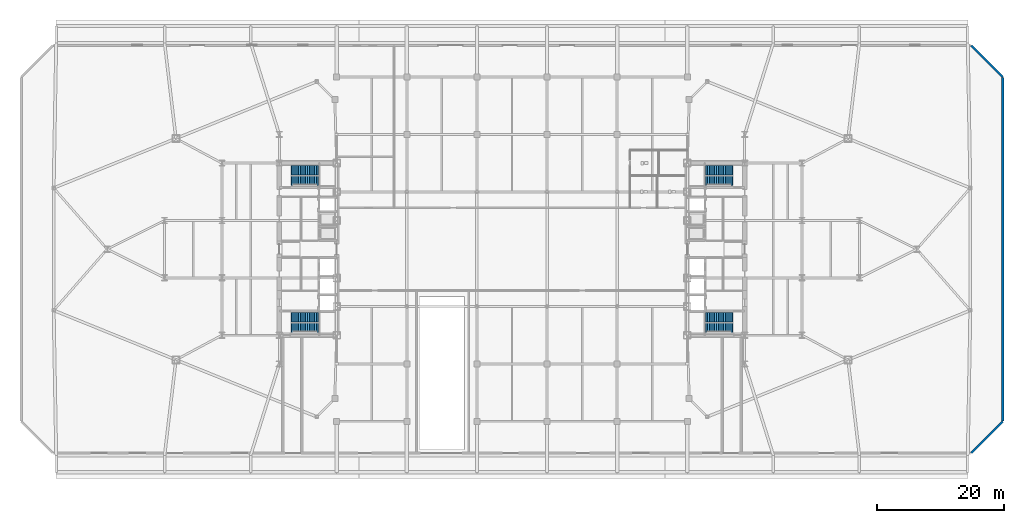
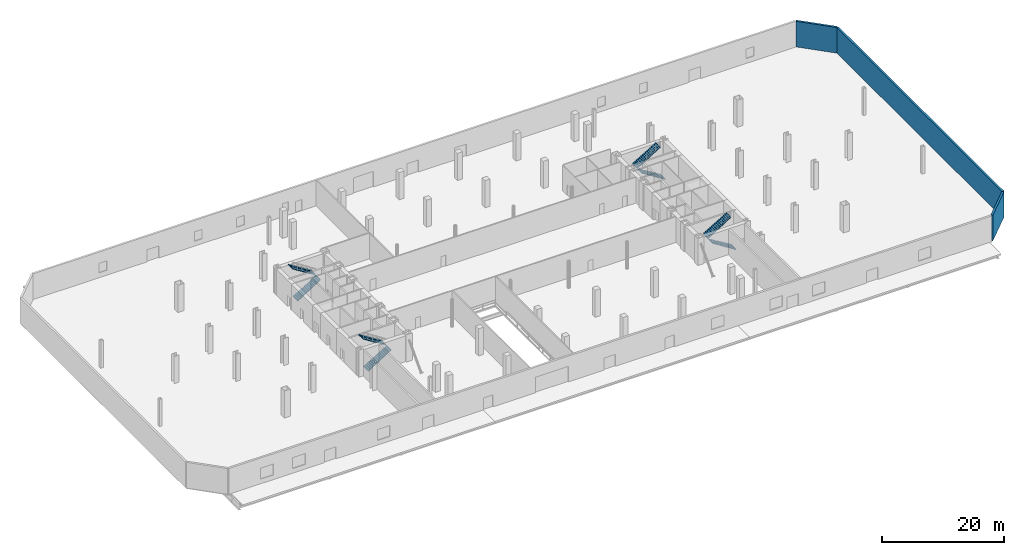
# One storey, part 17 of 21: 8 stair flights, 3 walls, 4 elements without a shape of their own.
"""IFC4 building model written with IfcOpenShell, lengths in metres."""

from ifc_helpers import new_model, si_unit, direction, frame, frame_2d, origin, place, context, subcontext, project, spatial, polyline, rectangle, outline, extrude, material, layer, layer_set, type_object, element, aggregate, save


model = new_model("IFC4")

# Units and contexts
model_context = context("Model", 3, precision=1e-05, world=origin(), true_north=direction((0.0, 1.0)))
body_context = subcontext(model_context, "Body", "Model", "MODEL_VIEW")
ifc_project = project(units=[si_unit("LENGTHUNIT", "METRE"), si_unit("AREAUNIT", "SQUARE_METRE"), si_unit("VOLUMEUNIT", "CUBIC_METRE"), si_unit("PLANEANGLEUNIT", "RADIAN"), si_unit("MASSUNIT", "GRAM", prefix="KILO")], contexts=[model_context])

# Site, building, storey
site_placement = place(None, origin())
site = spatial("IfcSite", under=ifc_project, at=site_placement, CompositionType="ELEMENT")
building_placement = place(site_placement, origin())
building = spatial("IfcBuilding", under=site, at=building_placement, Name="Seokmaru Belvedere", CompositionType="ELEMENT")
storey_placement = place(building_placement, origin())
storey = spatial("IfcBuildingStorey", under=building, at=storey_placement, Name="L00", CompositionType="ELEMENT", Elevation=0.0)

# Walls
ifc_material = material(Name="Concrete C40 (40 MPa)", Category="concrete")
ifc_layer = layer(ifc_material, 0.360107421875)
ifc_layer_set = layer_set([ifc_layer], Name="Concrete C40 (40 MPa)")
wall_type = type_object("IfcWallType", Name="Podium Board-Formed Concrete Wall 360", PredefinedType="SOLIDWALL", material=ifc_layer_set)
wall_1_placement = place(storey_placement, frame((72.0283203125, -31.9716796875, 0.0), z_axis=(0.0, 0.0, 1.0), x_axis=(0.707106781187, 0.707106781187, 0.0)))
element("IfcWall", 1, at=wall_1_placement, inside=storey, type_object=wall_type, Name="L00 Exterior Podium Wall 02", PredefinedType="SOLIDWALL", context=body_context, shape_type="SweptSolid", body=[
    extrude(rectangle(XDim=6.990966796875, YDim=0.360107421875, at=frame_2d((3.49560546875, 0.0))), origin(), (0.0, 0.0, 1.0), 5.1201171875),
])
wall_2_placement = place(storey_placement, frame((77.0, -26.9599609375, 0.0), z_axis=(0.0, 0.0, 1.0), x_axis=(0.0, 1.0, 0.0)))
element("IfcWall", 2, at=wall_2_placement, inside=storey, type_object=wall_type, Name="L00 Exterior Podium Wall 03", PredefinedType="SOLIDWALL", context=body_context, shape_type="SweptSolid", body=[
    extrude(rectangle(XDim=53.919921875, YDim=0.360107421875, at=frame_2d((26.9599609375, 0.0))), origin(), (0.0, 0.0, 1.0), 5.1201171875),
])
wall_3_placement = place(storey_placement, frame((76.9716796875, 27.0283203125, 0.0), z_axis=(0.0, 0.0, 1.0), x_axis=(-0.707106781187, 0.707106781187, 0.0)))
element("IfcWall", 3, at=wall_3_placement, inside=storey, type_object=wall_type, Name="L00 Exterior Podium Wall 04", PredefinedType="SOLIDWALL", context=body_context, shape_type="SweptSolid", body=[
    extrude(rectangle(XDim=6.990966796875, YDim=0.360107421875, at=frame_2d((3.49560546875, 0.0))), origin(), (0.0, 0.0, 1.0), 5.1201171875),
])

# Stair, stair flights
stair_type = type_object("IfcStairType", Name="Ground Podium Core Dog-Leg Stair 5400", PredefinedType="TWO_STRAIGHT_RUN_STAIR", material=ifc_material)
stair_1_placement = place(storey_placement, origin())
stair_1 = element("IfcStair", 4, at=stair_1_placement, inside=storey, type_object=stair_type, Name="L00 Special Escape Stair ST-W1", PredefinedType="TWO_STRAIGHT_RUN_STAIR")
stair_flight_type = type_object("IfcStairFlightType", Name="Reinforced Concrete Stair Flight 1500", PredefinedType="STRAIGHT", material=ifc_material)
stair_flight_1_placement = place(storey_placement, frame((-34.60009765625, -12.35009765625, 0.0), z_axis=(0.0, 0.0, 1.0), x_axis=(1.0, 0.0, 0.0)))
stair_flight_1 = element("IfcStairFlight", 5, at=stair_flight_1_placement, type_object=stair_flight_type, Name="ST-W1 flight 1", NumberOfRisers=16, NumberOfTreads=15, PredefinedType="STRAIGHT", RiserHeight=0.16875, TreadLength=0.28, context=body_context, shape_type="SweptSolid", body=[
    extrude(outline(polyline([(-0.080078125, 0.0), (0.0, 0.168701171875), (0.280029296875, 0.168701171875), (0.280029296875, 0.33740234375), (0.56005859375, 0.33740234375), (0.56005859375, 0.50634765625), (0.840087890625, 0.50634765625), (0.840087890625, 0.675048828125), (1.1201171875, 0.675048828125), (1.1201171875, 0.84375), (1.39990234375, 0.84375), (1.39990234375, 1.012451171875), (1.679931640625, 1.012451171875), (1.679931640625, 1.18115234375), (1.9599609375, 1.18115234375), (1.9599609375, 1.35009765625), (2.239990234375, 1.35009765625), (2.239990234375, 1.518798828125), (2.52001953125, 1.518798828125), (2.52001953125, 1.6875), (2.800048828125, 1.6875), (2.800048828125, 1.856201171875), (3.080078125, 1.856201171875), (3.080078125, 2.02490234375), (3.360107421875, 2.02490234375), (3.360107421875, 2.19384765625), (3.639892578125, 2.19384765625), (3.639892578125, 2.362548828125), (3.919921875, 2.362548828125), (3.919921875, 2.53125), (4.199951171875, 2.53125), (4.199951171875, 2.699951171875), (4.280029296875, 2.699951171875), (4.280029296875, 2.510009765625), (4.199951171875, 2.510009765625), (0.0, -0.159912109375), (-0.080078125, -0.159912109375), (-0.080078125, 0.0)])), frame((0.0, 0.75, 0.0), z_axis=(0.0, -1.0, 0.0), x_axis=(1.0, 0.0, 0.0)), (0.0, 0.0, 1.0), 1.5),
])
stair_flight_2_placement = place(storey_placement, frame((-30.39990234375, -10.7099609375, 2.699951171875), z_axis=(0.0, 0.0, 1.0), x_axis=(-1.0, 0.0, 0.0)))
stair_flight_2 = element("IfcStairFlight", 6, at=stair_flight_2_placement, type_object=stair_flight_type, Name="ST-W1 flight 2", NumberOfRisers=16, NumberOfTreads=15, PredefinedType="STRAIGHT", RiserHeight=0.16875, TreadLength=0.28, context=body_context, shape_type="SweptSolid", body=[
    extrude(outline(polyline([(-0.080078125, 0.0), (0.0, 0.168701171875), (0.280029296875, 0.168701171875), (0.280029296875, 0.33740234375), (0.56005859375, 0.33740234375), (0.56005859375, 0.50634765625), (0.840087890625, 0.50634765625), (0.840087890625, 0.675048828125), (1.1201171875, 0.675048828125), (1.1201171875, 0.84375), (1.39990234375, 0.84375), (1.39990234375, 1.012451171875), (1.679931640625, 1.012451171875), (1.679931640625, 1.18115234375), (1.9599609375, 1.18115234375), (1.9599609375, 1.35009765625), (2.239990234375, 1.35009765625), (2.239990234375, 1.518798828125), (2.52001953125, 1.518798828125), (2.52001953125, 1.6875), (2.800048828125, 1.6875), (2.800048828125, 1.856201171875), (3.080078125, 1.856201171875), (3.080078125, 2.02490234375), (3.360107421875, 2.02490234375), (3.360107421875, 2.19384765625), (3.639892578125, 2.19384765625), (3.639892578125, 2.362548828125), (3.919921875, 2.362548828125), (3.919921875, 2.53125), (4.199951171875, 2.53125), (4.199951171875, 2.699951171875), (4.280029296875, 2.699951171875), (4.280029296875, 2.510009765625), (4.199951171875, 2.510009765625), (0.0, -0.159912109375), (-0.080078125, -0.159912109375), (-0.080078125, 0.0)])), frame((0.0, 0.75, 0.0), z_axis=(0.0, -1.0, 0.0), x_axis=(1.0, 0.0, 0.0)), (0.0, 0.0, 1.0), 1.5),
])
aggregate(stair_1, [stair_flight_1, stair_flight_2])

stair_2_placement = place(storey_placement, origin())
stair_2 = element("IfcStair", 7, at=stair_2_placement, inside=storey, type_object=stair_type, Name="L00 Special Escape Stair ST-W2", PredefinedType="TWO_STRAIGHT_RUN_STAIR")
stair_flight_3_placement = place(storey_placement, frame((-34.60009765625, 10.7099609375, 0.0), z_axis=(0.0, 0.0, 1.0), x_axis=(1.0, 0.0, 0.0)))
stair_flight_3 = element("IfcStairFlight", 8, at=stair_flight_3_placement, type_object=stair_flight_type, Name="ST-W2 flight 1", NumberOfRisers=16, NumberOfTreads=15, PredefinedType="STRAIGHT", RiserHeight=0.16875, TreadLength=0.28, context=body_context, shape_type="SweptSolid", body=[
    extrude(outline(polyline([(-0.080078125, 0.0), (0.0, 0.168701171875), (0.280029296875, 0.168701171875), (0.280029296875, 0.33740234375), (0.56005859375, 0.33740234375), (0.56005859375, 0.50634765625), (0.840087890625, 0.50634765625), (0.840087890625, 0.675048828125), (1.1201171875, 0.675048828125), (1.1201171875, 0.84375), (1.39990234375, 0.84375), (1.39990234375, 1.012451171875), (1.679931640625, 1.012451171875), (1.679931640625, 1.18115234375), (1.9599609375, 1.18115234375), (1.9599609375, 1.35009765625), (2.239990234375, 1.35009765625), (2.239990234375, 1.518798828125), (2.52001953125, 1.518798828125), (2.52001953125, 1.6875), (2.800048828125, 1.6875), (2.800048828125, 1.856201171875), (3.080078125, 1.856201171875), (3.080078125, 2.02490234375), (3.360107421875, 2.02490234375), (3.360107421875, 2.19384765625), (3.639892578125, 2.19384765625), (3.639892578125, 2.362548828125), (3.919921875, 2.362548828125), (3.919921875, 2.53125), (4.199951171875, 2.53125), (4.199951171875, 2.699951171875), (4.280029296875, 2.699951171875), (4.280029296875, 2.510009765625), (4.199951171875, 2.510009765625), (0.0, -0.159912109375), (-0.080078125, -0.159912109375), (-0.080078125, 0.0)])), frame((0.0, 0.75, 0.0), z_axis=(0.0, -1.0, 0.0), x_axis=(1.0, 0.0, 0.0)), (0.0, 0.0, 1.0), 1.5),
])
stair_flight_4_placement = place(storey_placement, frame((-30.39990234375, 12.35009765625, 2.699951171875), z_axis=(0.0, 0.0, 1.0), x_axis=(-1.0, 0.0, 0.0)))
stair_flight_4 = element("IfcStairFlight", 9, at=stair_flight_4_placement, type_object=stair_flight_type, Name="ST-W2 flight 2", NumberOfRisers=16, NumberOfTreads=15, PredefinedType="STRAIGHT", RiserHeight=0.16875, TreadLength=0.28, context=body_context, shape_type="SweptSolid", body=[
    extrude(outline(polyline([(-0.080078125, 0.0), (0.0, 0.168701171875), (0.280029296875, 0.168701171875), (0.280029296875, 0.33740234375), (0.56005859375, 0.33740234375), (0.56005859375, 0.50634765625), (0.840087890625, 0.50634765625), (0.840087890625, 0.675048828125), (1.1201171875, 0.675048828125), (1.1201171875, 0.84375), (1.39990234375, 0.84375), (1.39990234375, 1.012451171875), (1.679931640625, 1.012451171875), (1.679931640625, 1.18115234375), (1.9599609375, 1.18115234375), (1.9599609375, 1.35009765625), (2.239990234375, 1.35009765625), (2.239990234375, 1.518798828125), (2.52001953125, 1.518798828125), (2.52001953125, 1.6875), (2.800048828125, 1.6875), (2.800048828125, 1.856201171875), (3.080078125, 1.856201171875), (3.080078125, 2.02490234375), (3.360107421875, 2.02490234375), (3.360107421875, 2.19384765625), (3.639892578125, 2.19384765625), (3.639892578125, 2.362548828125), (3.919921875, 2.362548828125), (3.919921875, 2.53125), (4.199951171875, 2.53125), (4.199951171875, 2.699951171875), (4.280029296875, 2.699951171875), (4.280029296875, 2.510009765625), (4.199951171875, 2.510009765625), (0.0, -0.159912109375), (-0.080078125, -0.159912109375), (-0.080078125, 0.0)])), frame((0.0, 0.75, 0.0), z_axis=(0.0, -1.0, 0.0), x_axis=(1.0, 0.0, 0.0)), (0.0, 0.0, 1.0), 1.5),
])
aggregate(stair_2, [stair_flight_3, stair_flight_4])

stair_3_placement = place(storey_placement, origin())
stair_3 = element("IfcStair", 10, at=stair_3_placement, inside=storey, type_object=stair_type, Name="L00 Special Escape Stair ST-E1", PredefinedType="TWO_STRAIGHT_RUN_STAIR")
stair_flight_5_placement = place(storey_placement, frame((34.60009765625, -12.35009765625, 0.0), z_axis=(0.0, 0.0, 1.0), x_axis=(-1.0, 0.0, 0.0)))
stair_flight_5 = element("IfcStairFlight", 11, at=stair_flight_5_placement, type_object=stair_flight_type, Name="ST-E1 flight 1", NumberOfRisers=16, NumberOfTreads=15, PredefinedType="STRAIGHT", RiserHeight=0.16875, TreadLength=0.28, context=body_context, shape_type="SweptSolid", body=[
    extrude(outline(polyline([(-0.080078125, 0.0), (0.0, 0.168701171875), (0.280029296875, 0.168701171875), (0.280029296875, 0.33740234375), (0.56005859375, 0.33740234375), (0.56005859375, 0.50634765625), (0.840087890625, 0.50634765625), (0.840087890625, 0.675048828125), (1.1201171875, 0.675048828125), (1.1201171875, 0.84375), (1.39990234375, 0.84375), (1.39990234375, 1.012451171875), (1.679931640625, 1.012451171875), (1.679931640625, 1.18115234375), (1.9599609375, 1.18115234375), (1.9599609375, 1.35009765625), (2.239990234375, 1.35009765625), (2.239990234375, 1.518798828125), (2.52001953125, 1.518798828125), (2.52001953125, 1.6875), (2.800048828125, 1.6875), (2.800048828125, 1.856201171875), (3.080078125, 1.856201171875), (3.080078125, 2.02490234375), (3.360107421875, 2.02490234375), (3.360107421875, 2.19384765625), (3.639892578125, 2.19384765625), (3.639892578125, 2.362548828125), (3.919921875, 2.362548828125), (3.919921875, 2.53125), (4.199951171875, 2.53125), (4.199951171875, 2.699951171875), (4.280029296875, 2.699951171875), (4.280029296875, 2.510009765625), (4.199951171875, 2.510009765625), (0.0, -0.159912109375), (-0.080078125, -0.159912109375), (-0.080078125, 0.0)])), frame((0.0, 0.75, 0.0), z_axis=(0.0, -1.0, 0.0), x_axis=(1.0, 0.0, 0.0)), (0.0, 0.0, 1.0), 1.5),
])
stair_flight_6_placement = place(storey_placement, frame((30.39990234375, -10.7099609375, 2.699951171875), z_axis=(0.0, 0.0, 1.0), x_axis=(1.0, 0.0, 0.0)))
stair_flight_6 = element("IfcStairFlight", 12, at=stair_flight_6_placement, type_object=stair_flight_type, Name="ST-E1 flight 2", NumberOfRisers=16, NumberOfTreads=15, PredefinedType="STRAIGHT", RiserHeight=0.16875, TreadLength=0.28, context=body_context, shape_type="SweptSolid", body=[
    extrude(outline(polyline([(-0.080078125, 0.0), (0.0, 0.168701171875), (0.280029296875, 0.168701171875), (0.280029296875, 0.33740234375), (0.56005859375, 0.33740234375), (0.56005859375, 0.50634765625), (0.840087890625, 0.50634765625), (0.840087890625, 0.675048828125), (1.1201171875, 0.675048828125), (1.1201171875, 0.84375), (1.39990234375, 0.84375), (1.39990234375, 1.012451171875), (1.679931640625, 1.012451171875), (1.679931640625, 1.18115234375), (1.9599609375, 1.18115234375), (1.9599609375, 1.35009765625), (2.239990234375, 1.35009765625), (2.239990234375, 1.518798828125), (2.52001953125, 1.518798828125), (2.52001953125, 1.6875), (2.800048828125, 1.6875), (2.800048828125, 1.856201171875), (3.080078125, 1.856201171875), (3.080078125, 2.02490234375), (3.360107421875, 2.02490234375), (3.360107421875, 2.19384765625), (3.639892578125, 2.19384765625), (3.639892578125, 2.362548828125), (3.919921875, 2.362548828125), (3.919921875, 2.53125), (4.199951171875, 2.53125), (4.199951171875, 2.699951171875), (4.280029296875, 2.699951171875), (4.280029296875, 2.510009765625), (4.199951171875, 2.510009765625), (0.0, -0.159912109375), (-0.080078125, -0.159912109375), (-0.080078125, 0.0)])), frame((0.0, 0.75, 0.0), z_axis=(0.0, -1.0, 0.0), x_axis=(1.0, 0.0, 0.0)), (0.0, 0.0, 1.0), 1.5),
])
aggregate(stair_3, [stair_flight_5, stair_flight_6])

stair_4_placement = place(storey_placement, origin())
stair_4 = element("IfcStair", 13, at=stair_4_placement, inside=storey, type_object=stair_type, Name="L00 Special Escape Stair ST-E2", PredefinedType="TWO_STRAIGHT_RUN_STAIR")
stair_flight_7_placement = place(storey_placement, frame((34.60009765625, 10.7099609375, 0.0), z_axis=(0.0, 0.0, 1.0), x_axis=(-1.0, 0.0, 0.0)))
stair_flight_7 = element("IfcStairFlight", 14, at=stair_flight_7_placement, type_object=stair_flight_type, Name="ST-E2 flight 1", NumberOfRisers=16, NumberOfTreads=15, PredefinedType="STRAIGHT", RiserHeight=0.16875, TreadLength=0.28, context=body_context, shape_type="SweptSolid", body=[
    extrude(outline(polyline([(-0.080078125, 0.0), (0.0, 0.168701171875), (0.280029296875, 0.168701171875), (0.280029296875, 0.33740234375), (0.56005859375, 0.33740234375), (0.56005859375, 0.50634765625), (0.840087890625, 0.50634765625), (0.840087890625, 0.675048828125), (1.1201171875, 0.675048828125), (1.1201171875, 0.84375), (1.39990234375, 0.84375), (1.39990234375, 1.012451171875), (1.679931640625, 1.012451171875), (1.679931640625, 1.18115234375), (1.9599609375, 1.18115234375), (1.9599609375, 1.35009765625), (2.239990234375, 1.35009765625), (2.239990234375, 1.518798828125), (2.52001953125, 1.518798828125), (2.52001953125, 1.6875), (2.800048828125, 1.6875), (2.800048828125, 1.856201171875), (3.080078125, 1.856201171875), (3.080078125, 2.02490234375), (3.360107421875, 2.02490234375), (3.360107421875, 2.19384765625), (3.639892578125, 2.19384765625), (3.639892578125, 2.362548828125), (3.919921875, 2.362548828125), (3.919921875, 2.53125), (4.199951171875, 2.53125), (4.199951171875, 2.699951171875), (4.280029296875, 2.699951171875), (4.280029296875, 2.510009765625), (4.199951171875, 2.510009765625), (0.0, -0.159912109375), (-0.080078125, -0.159912109375), (-0.080078125, 0.0)])), frame((0.0, 0.75, 0.0), z_axis=(0.0, -1.0, 0.0), x_axis=(1.0, 0.0, 0.0)), (0.0, 0.0, 1.0), 1.5),
])
stair_flight_8_placement = place(storey_placement, frame((30.39990234375, 12.35009765625, 2.699951171875), z_axis=(0.0, 0.0, 1.0), x_axis=(1.0, 0.0, 0.0)))
stair_flight_8 = element("IfcStairFlight", 15, at=stair_flight_8_placement, type_object=stair_flight_type, Name="ST-E2 flight 2", NumberOfRisers=16, NumberOfTreads=15, PredefinedType="STRAIGHT", RiserHeight=0.16875, TreadLength=0.28, context=body_context, shape_type="SweptSolid", body=[
    extrude(outline(polyline([(-0.080078125, 0.0), (0.0, 0.168701171875), (0.280029296875, 0.168701171875), (0.280029296875, 0.33740234375), (0.56005859375, 0.33740234375), (0.56005859375, 0.50634765625), (0.840087890625, 0.50634765625), (0.840087890625, 0.675048828125), (1.1201171875, 0.675048828125), (1.1201171875, 0.84375), (1.39990234375, 0.84375), (1.39990234375, 1.012451171875), (1.679931640625, 1.012451171875), (1.679931640625, 1.18115234375), (1.9599609375, 1.18115234375), (1.9599609375, 1.35009765625), (2.239990234375, 1.35009765625), (2.239990234375, 1.518798828125), (2.52001953125, 1.518798828125), (2.52001953125, 1.6875), (2.800048828125, 1.6875), (2.800048828125, 1.856201171875), (3.080078125, 1.856201171875), (3.080078125, 2.02490234375), (3.360107421875, 2.02490234375), (3.360107421875, 2.19384765625), (3.639892578125, 2.19384765625), (3.639892578125, 2.362548828125), (3.919921875, 2.362548828125), (3.919921875, 2.53125), (4.199951171875, 2.53125), (4.199951171875, 2.699951171875), (4.280029296875, 2.699951171875), (4.280029296875, 2.510009765625), (4.199951171875, 2.510009765625), (0.0, -0.159912109375), (-0.080078125, -0.159912109375), (-0.080078125, 0.0)])), frame((0.0, 0.75, 0.0), z_axis=(0.0, -1.0, 0.0), x_axis=(1.0, 0.0, 0.0)), (0.0, 0.0, 1.0), 1.5),
])
aggregate(stair_4, [stair_flight_7, stair_flight_8])

save(model, "model.ifc")
